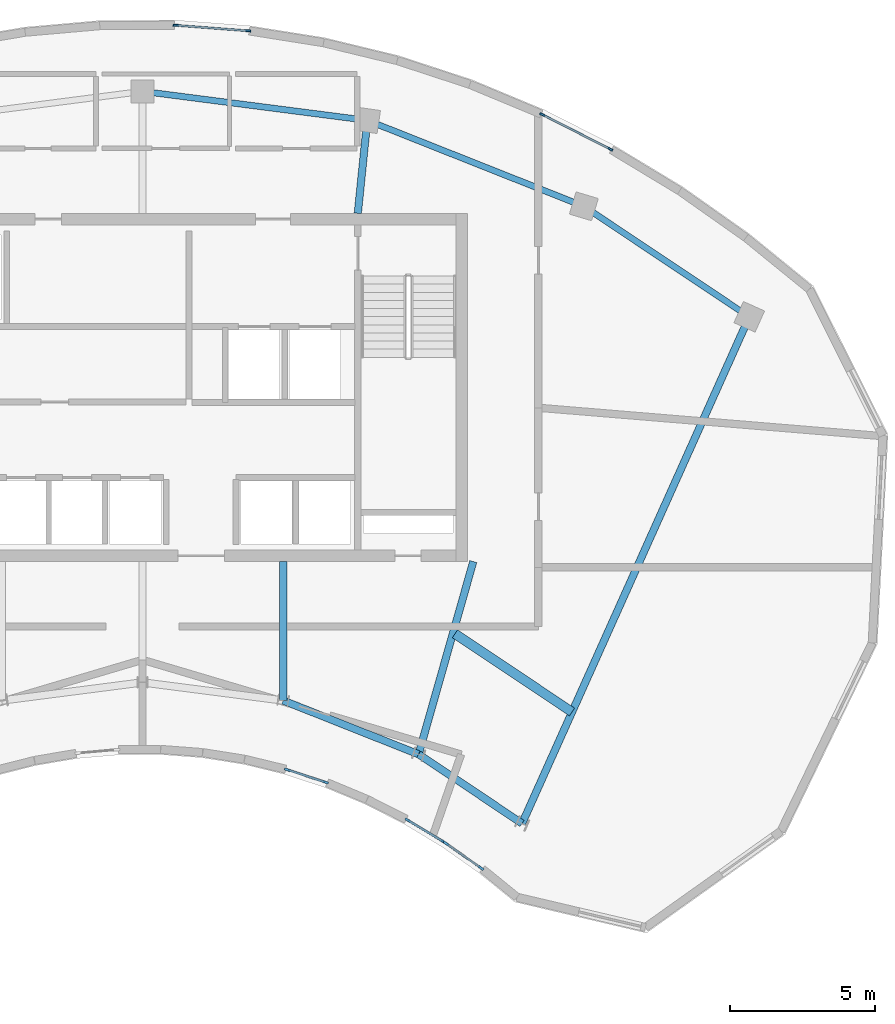
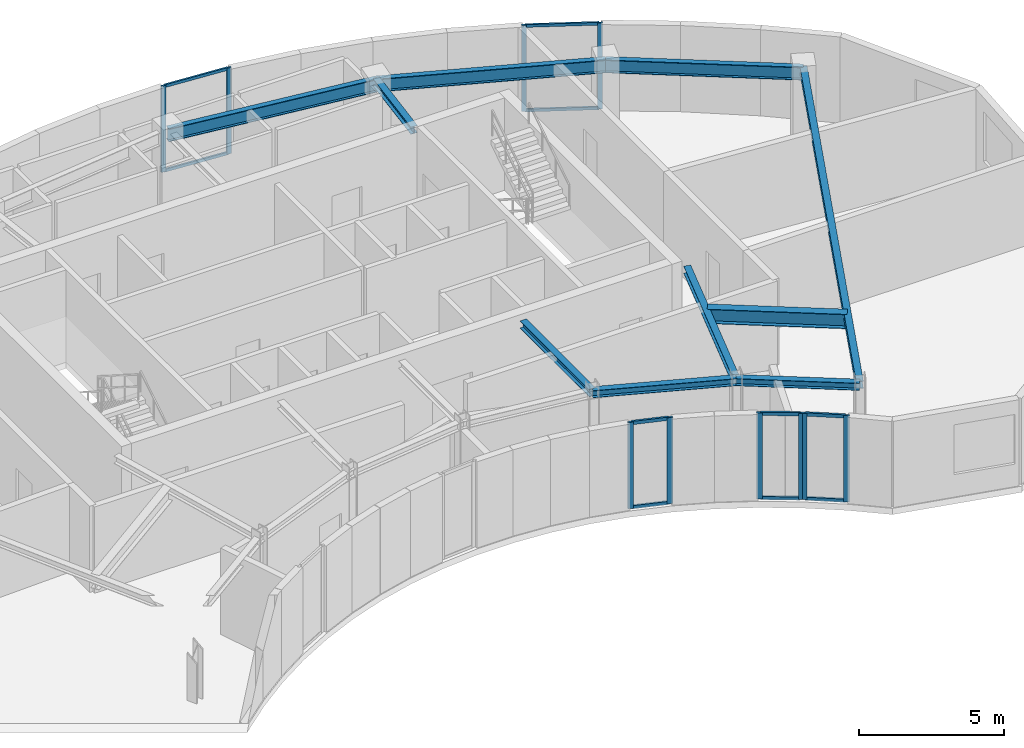
# One storey, part 3 of 9: 20 members, 10 beams, 5 elements without a shape of their own.
"""IFC4 building model written with IfcOpenShell, lengths in metres."""

from ifc_helpers import new_model, si_unit, direction, frame, origin, origin_2d, place, context, subcontext, project, spatial, rectangle, i_section, extrude, source, transform, mapped, material, layer, layer_set, material_profile, profile_set, type_object, element, aggregate, save


model = new_model("IFC4")

# Units and contexts
model_context = context("Model", 3, precision=1e-05, world=origin(), true_north=direction((0.0, 1.0)))
body_context = subcontext(model_context, "Body", "Model", "MODEL_VIEW")
ifc_project = project(units=[si_unit("LENGTHUNIT", "METRE"), si_unit("AREAUNIT", "SQUARE_METRE"), si_unit("VOLUMEUNIT", "CUBIC_METRE"), si_unit("PLANEANGLEUNIT", "RADIAN"), si_unit("MASSUNIT", "GRAM", prefix="KILO")], contexts=[model_context])

# Site, building, storey
site_placement = place(None, origin())
site = spatial("IfcSite", under=ifc_project, at=site_placement, CompositionType="ELEMENT")
building_placement = place(site_placement, origin())
building = spatial("IfcBuilding", under=site, at=building_placement, Name="Breltana Convention Tower", CompositionType="ELEMENT")
storey_placement = place(building_placement, frame((0.0, 0.0, 291.300048828125)))
storey = spatial("IfcBuildingStorey", under=building, at=storey_placement, Name="L71", CompositionType="ELEMENT", Elevation=291.300048828125)

# Beams
ifc_material_1 = material(Name="Steel ASTM A992 Grade 50", Category="steel")
ifc_material_profile_1 = material_profile(ifc_material_1, i_section(OverallWidth=0.323974609375, OverallDepth=0.611083984375, WebThickness=0.0126953125, FlangeThickness=0.01904296875, at=origin_2d()), Name="W24X104")
ifc_profile_set_1 = profile_set([ifc_material_profile_1], Name="Steel ASTM A992 Grade 50")
beam_type_1 = type_object("IfcBeamType", Name="BM-JSG-01", PredefinedType="JOIST", material=ifc_profile_set_1)
shared_shape_1 = source(origin(), body_context, "Body", "SweptSolid", [
    extrude(i_section(OverallWidth=0.323974609375, OverallDepth=0.611083984375, WebThickness=0.0126953125, FlangeThickness=0.01904296875, at=origin_2d()), origin(), (0.0, 0.0, 1.0), 4.854736328125),
])
beam_1_placement = place(storey_placement, frame((58.767578125, 57.71240234375, 3.33447265625), z_axis=(0.831485074305, -0.555547091801, 0.0), x_axis=(0.555547091801, 0.831485074305, 0.0)))
element("IfcBeam", 1, at=beam_1_placement, inside=storey, type_object=beam_type_1, Name="L71 Composite Floor Joist 08.1", PredefinedType="JOIST", context=body_context, shape_type="MappedRepresentation", body=[
    mapped(shared_shape_1, transform((0.0, 0.0, 0.0), scale=1.0)),
])
ifc_material_profile_2 = material_profile(ifc_material_1, i_section(OverallWidth=0.214111328125, OverallDepth=0.549072265625, WebThickness=0.0146484375, FlangeThickness=0.023681640625, at=origin_2d()), Name="W21X93")
ifc_profile_set_2 = profile_set([ifc_material_profile_2], Name="Steel ASTM A992 Grade 50")
beam_type_2 = type_object("IfcBeamType", Name="BM-SP-W21X93", PredefinedType="SPANDREL", material=ifc_profile_set_2)
shared_shape_2 = source(origin(), body_context, "Body", "SweptSolid", [
    extrude(i_section(OverallWidth=0.214111328125, OverallDepth=0.549072265625, WebThickness=0.0146484375, FlangeThickness=0.023681640625, at=origin_2d()), origin(), (0.0, 0.0, 1.0), 8.028564453125),
])
beam_2_placement = place(storey_placement, frame((55.746826171875, 75.404296875, 3.365478515625), z_axis=(0.929459100394, -0.368925169507, 0.0), x_axis=(0.368925169507, 0.929459100394, 0.0)))
element("IfcBeam", 2, at=beam_2_placement, inside=storey, type_object=beam_type_2, Name="L71 Outer Spandrel Beam 07", PredefinedType="SPANDREL", context=body_context, shape_type="MappedRepresentation", body=[
    mapped(shared_shape_2, transform((0.0, 0.0, 0.0), scale=1.0)),
])
shared_shape_3 = source(origin(), body_context, "Body", "SweptSolid", [
    extrude(i_section(OverallWidth=0.214111328125, OverallDepth=0.549072265625, WebThickness=0.0146484375, FlangeThickness=0.023681640625, at=origin_2d()), origin(), (0.0, 0.0, 1.0), 7.81103515625),
])
beam_3_placement = place(storey_placement, frame((48.0, 76.404052734375, 3.365478515625), z_axis=(0.991775179127, -0.127992164083, 0.0), x_axis=(0.127992164083, 0.991775179127, 0.0)))
element("IfcBeam", 3, at=beam_3_placement, inside=storey, type_object=beam_type_2, Name="L71 Outer Spandrel Beam 06", PredefinedType="SPANDREL", context=body_context, shape_type="MappedRepresentation", body=[
    mapped(shared_shape_3, transform((0.0, 0.0, 0.0), scale=1.0)),
])
shared_shape_4 = source(origin(), body_context, "Body", "SweptSolid", [
    extrude(i_section(OverallWidth=0.214111328125, OverallDepth=0.549072265625, WebThickness=0.0146484375, FlangeThickness=0.023681640625, at=origin_2d()), origin(), (0.0, 0.0, 1.0), 6.856689453125),
])
beam_4_placement = place(storey_placement, frame((63.208984375, 72.4423828125, 3.365478515625), z_axis=(0.83150210718, -0.55552159792, 0.0), x_axis=(0.55552159792, 0.83150210718, 0.0)))
element("IfcBeam", 4, at=beam_4_placement, inside=storey, type_object=beam_type_2, Name="L71 Outer Spandrel Beam 08", PredefinedType="SPANDREL", context=body_context, shape_type="MappedRepresentation", body=[
    mapped(shared_shape_4, transform((0.0, 0.0, 0.0), scale=1.0)),
])
ifc_material_profile_3 = material_profile(ifc_material_1, i_section(OverallWidth=0.25390625, OverallDepth=0.305908203125, WebThickness=0.0087890625, FlangeThickness=0.0146484375, at=origin_2d()), Name="W12X53")
ifc_profile_set_3 = profile_set([ifc_material_profile_3], Name="Steel ASTM A992 Grade 50")
beam_type_3 = type_object("IfcBeamType", Name="BM-CN-W12X53", PredefinedType="BEAM", material=ifc_profile_set_3)
shared_shape_5 = source(origin(), body_context, "Body", "SweptSolid", [
    extrude(i_section(OverallWidth=0.25390625, OverallDepth=0.305908203125, WebThickness=0.0087890625, FlangeThickness=0.0146484375, at=origin_2d()), origin(), (0.0, 0.0, 1.0), 6.904541015625),
])
beam_5_placement = place(storey_placement, frame((59.39990234375, 60.199951171875, 3.487060546875), z_axis=(-0.273006781054, -0.962012108811, 0.0), x_axis=(0.962012108811, -0.273006781054, 0.0)))
element("IfcBeam", 5, at=beam_5_placement, inside=storey, type_object=beam_type_3, Name="L71 South Core Tie Girder R08", PredefinedType="BEAM", context=body_context, shape_type="MappedRepresentation", body=[
    mapped(shared_shape_5, transform((0.0, 0.0, 0.0), scale=1.0)),
])
shared_shape_6 = source(origin(), body_context, "Body", "SweptSolid", [
    extrude(i_section(OverallWidth=0.25390625, OverallDepth=0.305908203125, WebThickness=0.0087890625, FlangeThickness=0.0146484375, at=origin_2d()), origin(), (0.0, 0.0, 1.0), 4.789306640625),
])
beam_6_placement = place(storey_placement, frame((52.846435546875, 60.199951171875, 3.487060546875), z_axis=(0.0, -1.0, 0.0), x_axis=(1.0, 0.0, 0.0)))
element("IfcBeam", 6, at=beam_6_placement, inside=storey, type_object=beam_type_3, Name="L71 South Core Tie Girder R07", PredefinedType="BEAM", context=body_context, shape_type="MappedRepresentation", body=[
    mapped(shared_shape_6, transform((0.0, 0.0, 0.0), scale=1.0)),
])
shared_shape_7 = source(origin(), body_context, "Body", "SweptSolid", [
    extrude(i_section(OverallWidth=0.25390625, OverallDepth=0.305908203125, WebThickness=0.0087890625, FlangeThickness=0.0146484375, at=origin_2d()), origin(), (0.0, 0.0, 1.0), 3.220947265625),
])
beam_7_placement = place(storey_placement, frame((55.419921875, 72.199951171875, 3.487060546875), z_axis=(0.101492254858, 0.994836329355, 0.0), x_axis=(-0.994836329355, 0.101492254858, 0.0)))
element("IfcBeam", 7, at=beam_7_placement, inside=storey, type_object=beam_type_3, Name="L71 North Core Radial Girder R07", PredefinedType="BEAM", context=body_context, shape_type="MappedRepresentation", body=[
    mapped(shared_shape_7, transform((0.0, 0.0, 0.0), scale=1.0)),
])
shared_shape_8 = source(origin(), body_context, "Body", "SweptSolid", [
    extrude(i_section(OverallWidth=0.25390625, OverallDepth=0.305908203125, WebThickness=0.0087890625, FlangeThickness=0.0146484375, at=origin_2d()), origin(), (0.0, 0.0, 1.0), 19.133544921875),
])
beam_8_placement = place(storey_placement, frame((61.08203125, 51.174560546875, 3.487060546875), z_axis=(0.409144564164, 0.912469575172, 0.0), x_axis=(-0.912469575172, 0.409144564164, 0.0)))
element("IfcBeam", 8, at=beam_8_placement, inside=storey, type_object=beam_type_3, Name="L71 Radial Floor Girder R09", PredefinedType="BEAM", context=body_context, shape_type="MappedRepresentation", body=[
    mapped(shared_shape_8, transform((0.0, 0.0, 0.0), scale=1.0)),
])
shared_shape_9 = source(origin(), body_context, "Body", "SweptSolid", [
    extrude(i_section(OverallWidth=0.25390625, OverallDepth=0.305908203125, WebThickness=0.0087890625, FlangeThickness=0.0146484375, at=origin_2d()), origin(), (0.0, 0.0, 1.0), 5.022705078125),
])
beam_9_placement = place(storey_placement, frame((52.846435546875, 55.41064453125, 3.487060546875), z_axis=(0.929458966248, -0.368925507469, 0.0), x_axis=(0.368925507469, 0.929458966248, 0.0)))
element("IfcBeam", 9, at=beam_9_placement, inside=storey, type_object=beam_type_3, Name="L71 Inner Ring Beam 07", PredefinedType="BEAM", context=body_context, shape_type="MappedRepresentation", body=[
    mapped(shared_shape_9, transform((0.0, 0.0, 0.0), scale=1.0)),
])
shared_shape_10 = source(origin(), body_context, "Body", "SweptSolid", [
    extrude(i_section(OverallWidth=0.25390625, OverallDepth=0.305908203125, WebThickness=0.0087890625, FlangeThickness=0.0146484375, at=origin_2d()), origin(), (0.0, 0.0, 1.0), 4.2900390625),
])
beam_10_placement = place(storey_placement, frame((57.514892578125, 53.5576171875, 3.487060546875), z_axis=(0.831515827753, -0.555501060482, 0.0), x_axis=(0.555501060482, 0.831515827753, 0.0)))
element("IfcBeam", 10, at=beam_10_placement, inside=storey, type_object=beam_type_3, Name="L71 Inner Ring Beam 08", PredefinedType="BEAM", context=body_context, shape_type="MappedRepresentation", body=[
    mapped(shared_shape_10, transform((0.0, 0.0, 0.0), scale=1.0)),
])

# Curtain wall, members
ifc_material_2 = material(Name="Aluminium Anodised Bronze Frame", Category="aluminium")
ifc_layer_1 = layer(ifc_material_2, 0.18994140625, Name="Aluminium Anodised Bronze Frame")
ifc_layer_set_1 = layer_set([ifc_layer_1], Name="Aluminium Anodised Bronze Frame")
curtain_wall_type_1 = type_object("IfcCurtainWallType", Name="CW-SYS-1", PredefinedType="NOTDEFINED", material=ifc_layer_set_1)
curtain_wall_1_placement = place(storey_placement, origin())
curtain_wall_1 = element("IfcCurtainWall", 11, at=curtain_wall_1_placement, inside=storey, type_object=curtain_wall_type_1, Name="L71 inner south-court glazing 1", PredefinedType="NOTDEFINED")
ifc_material_3 = material(Name="Aluminium Anodised Bronze", Category="aluminium")
ifc_material_profile_4 = material_profile(ifc_material_3, rectangle(XDim=0.080078125, YDim=0.199951171875, at=origin_2d()), Name="CWM-80X200")
ifc_profile_set_4 = profile_set([ifc_material_profile_4], Name="Aluminium Anodised Bronze")
member_type_1 = type_object("IfcMemberType", Name="CWM-200", PredefinedType="MULLION", material=ifc_profile_set_4)
shared_shape_11 = source(origin(), body_context, "Body", "SweptSolid", [
    extrude(rectangle(XDim=0.080078125, YDim=0.199951171875, at=origin_2d()), origin(), (0.0, 0.0, 1.0), 3.639892578125),
])
member_1_placement = place(storey_placement, frame((59.667724609375, 49.635986328125, 0.0), z_axis=(0.0, 0.0, 1.0), x_axis=(-0.576173895534, -0.817327132857, 0.0)))
member_1 = element("IfcMember", 12, at=member_1_placement, type_object=member_type_1, Name="CW-01 mullion 1", PredefinedType="MULLION", context=body_context, shape_type="MappedRepresentation", body=[
    mapped(shared_shape_11, transform((0.0, 0.0, 0.0), scale=1.0)),
])
member_2_placement = place(storey_placement, frame((58.4599609375, 50.4873046875, 0.0), z_axis=(0.0, 0.0, 1.0), x_axis=(-0.576173895534, -0.817327132857, 0.0)))
member_2 = element("IfcMember", 13, at=member_2_placement, type_object=member_type_1, Name="CW-01 mullion 2", PredefinedType="MULLION", context=body_context, shape_type="MappedRepresentation", body=[
    mapped(shared_shape_11, transform((0.0, 0.0, 0.0), scale=1.0)),
])

curtain_wall_2_placement = place(storey_placement, origin())
curtain_wall_2 = element("IfcCurtainWall", 14, at=curtain_wall_2_placement, inside=storey, type_object=curtain_wall_type_1, Name="L71 inner south-court glazing 2", PredefinedType="NOTDEFINED")
member_3_placement = place(storey_placement, frame((58.38232421875, 50.5380859375, 0.0), z_axis=(0.0, 0.0, 1.0), x_axis=(-0.516826673654, -0.856090059164, 0.0)))
member_3 = element("IfcMember", 15, at=member_3_placement, type_object=member_type_1, Name="CW-01 mullion 1", PredefinedType="MULLION", context=body_context, shape_type="MappedRepresentation", body=[
    mapped(shared_shape_11, transform((0.0, 0.0, 0.0), scale=1.0)),
])
member_4_placement = place(storey_placement, frame((57.139404296875, 51.288330078125, 0.0), z_axis=(0.0, 0.0, 1.0), x_axis=(-0.516826673654, -0.856090059164, 0.0)))
member_4 = element("IfcMember", 16, at=member_4_placement, type_object=member_type_1, Name="CW-01 mullion 2", PredefinedType="MULLION", context=body_context, shape_type="MappedRepresentation", body=[
    mapped(shared_shape_11, transform((0.0, 0.0, 0.0), scale=1.0)),
])

curtain_wall_3_placement = place(storey_placement, origin())
curtain_wall_3 = element("IfcCurtainWall", 17, at=curtain_wall_3_placement, inside=storey, type_object=curtain_wall_type_1, Name="L71 inner south-court glazing 3", PredefinedType="NOTDEFINED")
member_5_placement = place(storey_placement, frame((54.3115234375, 52.5927734375, 0.0), z_axis=(0.0, 0.0, 1.0), x_axis=(-0.311551675865, -0.95022921091, 0.0)))
member_5 = element("IfcMember", 18, at=member_5_placement, type_object=member_type_1, Name="CW-01 mullion 1", PredefinedType="MULLION", context=body_context, shape_type="MappedRepresentation", body=[
    mapped(shared_shape_11, transform((0.0, 0.0, 0.0), scale=1.0)),
])
member_6_placement = place(storey_placement, frame((52.990478515625, 53.02587890625, 0.0), z_axis=(0.0, 0.0, 1.0), x_axis=(-0.311551675865, -0.95022921091, 0.0)))
member_6 = element("IfcMember", 19, at=member_6_placement, type_object=member_type_1, Name="CW-01 mullion 2", PredefinedType="MULLION", context=body_context, shape_type="MappedRepresentation", body=[
    mapped(shared_shape_11, transform((0.0, 0.0, 0.0), scale=1.0)),
])

ifc_layer_2 = layer(ifc_material_2, 0.22998046875, Name="Aluminium Anodised Bronze Frame")
ifc_layer_set_2 = layer_set([ifc_layer_2], Name="Aluminium Anodised Bronze Frame")
curtain_wall_type_2 = type_object("IfcCurtainWallType", Name="CW-SYS-5", PredefinedType="NOTDEFINED", material=ifc_layer_set_2)
curtain_wall_4_placement = place(storey_placement, origin())
curtain_wall_4 = element("IfcCurtainWall", 20, at=curtain_wall_4_placement, inside=storey, type_object=curtain_wall_type_2, Name="L71 outer double-skin inner glazing 3", PredefinedType="NOTDEFINED")
ifc_material_profile_5 = material_profile(ifc_material_3, rectangle(XDim=0.070068359375, YDim=0.175048828125, at=origin_2d()), Name="CWM-70X175")
ifc_profile_set_5 = profile_set([ifc_material_profile_5], Name="Aluminium Anodised Bronze")
member_type_2 = type_object("IfcMemberType", Name="CWM-175", PredefinedType="MULLION", material=ifc_profile_set_5)
shared_shape_12 = source(origin(), body_context, "Body", "SweptSolid", [
    extrude(rectangle(XDim=0.070068359375, YDim=0.175048828125, at=origin_2d()), origin(), (0.0, 0.0, 1.0), 3.639892578125),
])
member_7_placement = place(storey_placement, frame((49.139892578125, 78.680908203125, 0.0), z_axis=(0.0, 0.0, 1.0), x_axis=(0.075890692114, 0.99711614311, 0.0)))
member_7 = element("IfcMember", 21, at=member_7_placement, type_object=member_type_2, Name="CW-05 mullion 1", PredefinedType="MULLION", context=body_context, shape_type="MappedRepresentation", body=[
    mapped(shared_shape_12, transform((0.0, 0.0, 0.0), scale=1.0)),
])
member_8_placement = place(storey_placement, frame((51.643798828125, 78.490234375, 0.0), z_axis=(0.0, 0.0, 1.0), x_axis=(0.075890692114, 0.99711614311, 0.0)))
member_8 = element("IfcMember", 22, at=member_8_placement, type_object=member_type_2, Name="CW-05 mullion 2", PredefinedType="MULLION", context=body_context, shape_type="MappedRepresentation", body=[
    mapped(shared_shape_12, transform((0.0, 0.0, 0.0), scale=1.0)),
])

curtain_wall_5_placement = place(storey_placement, origin())
curtain_wall_5 = element("IfcCurtainWall", 23, at=curtain_wall_5_placement, inside=storey, type_object=curtain_wall_type_2, Name="L71 outer double-skin inner glazing 4", PredefinedType="NOTDEFINED")
member_9_placement = place(storey_placement, frame((61.776123046875, 75.6044921875, 0.0), z_axis=(0.0, 0.0, 1.0), x_axis=(0.452690099305, 0.891667916879, 0.0)))
member_9 = element("IfcMember", 24, at=member_9_placement, type_object=member_type_2, Name="CW-05 mullion 1", PredefinedType="MULLION", context=body_context, shape_type="MappedRepresentation", body=[
    mapped(shared_shape_12, transform((0.0, 0.0, 0.0), scale=1.0)),
])
member_10_placement = place(storey_placement, frame((64.126220703125, 74.411376953125, 0.0), z_axis=(0.0, 0.0, 1.0), x_axis=(0.452690099305, 0.891667916879, 0.0)))
member_10 = element("IfcMember", 25, at=member_10_placement, type_object=member_type_2, Name="CW-05 mullion 2", PredefinedType="MULLION", context=body_context, shape_type="MappedRepresentation", body=[
    mapped(shared_shape_12, transform((0.0, 0.0, 0.0), scale=1.0)),
])

# Member
ifc_material_profile_6 = material_profile(ifc_material_3, rectangle(XDim=0.080078125, YDim=0.139892578125, at=origin_2d()), Name="CWT-80X140")
ifc_profile_set_6 = profile_set([ifc_material_profile_6], Name="Aluminium Anodised Bronze")
member_type_3 = type_object("IfcMemberType", Name="CWT-140", PredefinedType="USERDEFINED", material=ifc_profile_set_6)
shared_shape_13 = source(origin(), body_context, "Body", "SweptSolid", [
    extrude(rectangle(XDim=0.080078125, YDim=0.139892578125, at=origin_2d()), origin(), (0.0, 0.0, 1.0), 1.3974609375),
])
member_11_placement = place(storey_placement, frame((59.635009765625, 49.658935546875, 0.0400390625), z_axis=(-0.817364650956, 0.576120670838, 0.0), x_axis=(-0.576120670838, -0.817364650956, 0.0)))
member_11 = element("IfcMember", 26, at=member_11_placement, type_object=member_type_3, Name="CW-01 transom 1.1", ObjectType="TRANSOM", PredefinedType="USERDEFINED", context=body_context, shape_type="MappedRepresentation", body=[
    mapped(shared_shape_13, transform((0.0, 0.0, 0.0), scale=1.0)),
])

member_12_placement = place(storey_placement, frame((59.635009765625, 49.658935546875, 3.599853515625), z_axis=(-0.817364650956, 0.576120670838, 0.0), x_axis=(-0.576120670838, -0.817364650956, 0.0)))
member_12 = element("IfcMember", 27, at=member_12_placement, type_object=member_type_3, Name="CW-01 transom 1.2", ObjectType="TRANSOM", PredefinedType="USERDEFINED", context=body_context, shape_type="MappedRepresentation", body=[
    mapped(shared_shape_13, transform((0.0, 0.0, 0.0), scale=1.0)),
])

aggregate(curtain_wall_1, [member_1, member_2, member_11, member_12])

shared_shape_14 = source(origin(), body_context, "Body", "SweptSolid", [
    extrude(rectangle(XDim=0.080078125, YDim=0.139892578125, at=origin_2d()), origin(), (0.0, 0.0, 1.0), 1.3720703125),
])
member_13_placement = place(storey_placement, frame((58.34814453125, 50.55859375, 0.0400390625), z_axis=(-0.856123865056, 0.516770672235, 0.0), x_axis=(-0.516770672235, -0.856123865056, 0.0)))
member_13 = element("IfcMember", 28, at=member_13_placement, type_object=member_type_3, Name="CW-01 transom 1.1", ObjectType="TRANSOM", PredefinedType="USERDEFINED", context=body_context, shape_type="MappedRepresentation", body=[
    mapped(shared_shape_14, transform((0.0, 0.0, 0.0), scale=1.0)),
])

member_14_placement = place(storey_placement, frame((58.34814453125, 50.55859375, 3.599853515625), z_axis=(-0.856123865056, 0.516770672235, 0.0), x_axis=(-0.516770672235, -0.856123865056, 0.0)))
member_14 = element("IfcMember", 29, at=member_14_placement, type_object=member_type_3, Name="CW-01 transom 1.2", ObjectType="TRANSOM", PredefinedType="USERDEFINED", context=body_context, shape_type="MappedRepresentation", body=[
    mapped(shared_shape_14, transform((0.0, 0.0, 0.0), scale=1.0)),
])

aggregate(curtain_wall_2, [member_3, member_4, member_13, member_14])

shared_shape_15 = source(origin(), body_context, "Body", "SweptSolid", [
    extrude(rectangle(XDim=0.080078125, YDim=0.139892578125, at=origin_2d()), origin(), (0.0, 0.0, 1.0), 1.310546875),
])
member_15_placement = place(storey_placement, frame((54.273681640625, 52.605224609375, 0.0400390625), z_axis=(-0.950254852385, 0.31147345877, 0.0), x_axis=(-0.31147345877, -0.950254852385, 0.0)))
member_15 = element("IfcMember", 30, at=member_15_placement, type_object=member_type_3, Name="CW-01 transom 1.1", ObjectType="TRANSOM", PredefinedType="USERDEFINED", context=body_context, shape_type="MappedRepresentation", body=[
    mapped(shared_shape_15, transform((0.0, 0.0, 0.0), scale=1.0)),
])

member_16_placement = place(storey_placement, frame((54.273681640625, 52.605224609375, 3.599853515625), z_axis=(-0.950254852385, 0.31147345877, 0.0), x_axis=(-0.31147345877, -0.950254852385, 0.0)))
member_16 = element("IfcMember", 31, at=member_16_placement, type_object=member_type_3, Name="CW-01 transom 1.2", ObjectType="TRANSOM", PredefinedType="USERDEFINED", context=body_context, shape_type="MappedRepresentation", body=[
    mapped(shared_shape_15, transform((0.0, 0.0, 0.0), scale=1.0)),
])

aggregate(curtain_wall_3, [member_5, member_6, member_15, member_16])

ifc_material_profile_7 = material_profile(ifc_material_3, rectangle(XDim=0.070068359375, YDim=0.1201171875, at=origin_2d()), Name="CWT-70X120")
ifc_profile_set_7 = profile_set([ifc_material_profile_7], Name="Aluminium Anodised Bronze")
member_type_4 = type_object("IfcMemberType", Name="CWT-120", PredefinedType="USERDEFINED", material=ifc_profile_set_7)
shared_shape_16 = source(origin(), body_context, "Body", "SweptSolid", [
    extrude(rectangle(XDim=0.070068359375, YDim=0.1201171875, at=origin_2d()), origin(), (0.0, 0.0, 1.0), 2.441162109375),
])
member_17_placement = place(storey_placement, frame((49.1748046875, 78.67822265625, 0.034912109375), z_axis=(0.997114769529, -0.075908737219, 0.0), x_axis=(0.075908737219, 0.997114769529, 0.0)))
member_17 = element("IfcMember", 32, at=member_17_placement, type_object=member_type_4, Name="CW-05 transom 1.1", ObjectType="TRANSOM", PredefinedType="USERDEFINED", context=body_context, shape_type="MappedRepresentation", body=[
    mapped(shared_shape_16, transform((0.0, 0.0, 0.0), scale=1.0)),
])

member_18_placement = place(storey_placement, frame((49.1748046875, 78.67822265625, 3.60498046875), z_axis=(0.997114769529, -0.075908737219, 0.0), x_axis=(0.075908737219, 0.997114769529, 0.0)))
member_18 = element("IfcMember", 33, at=member_18_placement, type_object=member_type_4, Name="CW-05 transom 1.2", ObjectType="TRANSOM", PredefinedType="USERDEFINED", context=body_context, shape_type="MappedRepresentation", body=[
    mapped(shared_shape_16, transform((0.0, 0.0, 0.0), scale=1.0)),
])

aggregate(curtain_wall_4, [member_7, member_8, member_17, member_18])

shared_shape_17 = source(origin(), body_context, "Body", "SweptSolid", [
    extrude(rectangle(XDim=0.070068359375, YDim=0.1201171875, at=origin_2d()), origin(), (0.0, 0.0, 1.0), 2.5654296875),
])
member_19_placement = place(storey_placement, frame((61.807373046875, 75.588623046875, 0.034912109375), z_axis=(0.891669724031, -0.452686539724, 0.0), x_axis=(0.452686539724, 0.891669724031, 0.0)))
member_19 = element("IfcMember", 34, at=member_19_placement, type_object=member_type_4, Name="CW-05 transom 1.1", ObjectType="TRANSOM", PredefinedType="USERDEFINED", context=body_context, shape_type="MappedRepresentation", body=[
    mapped(shared_shape_17, transform((0.0, 0.0, 0.0), scale=1.0)),
])

member_20_placement = place(storey_placement, frame((61.807373046875, 75.588623046875, 3.60498046875), z_axis=(0.891669724031, -0.452686539724, 0.0), x_axis=(0.452686539724, 0.891669724031, 0.0)))
member_20 = element("IfcMember", 35, at=member_20_placement, type_object=member_type_4, Name="CW-05 transom 1.2", ObjectType="TRANSOM", PredefinedType="USERDEFINED", context=body_context, shape_type="MappedRepresentation", body=[
    mapped(shared_shape_17, transform((0.0, 0.0, 0.0), scale=1.0)),
])

aggregate(curtain_wall_5, [member_9, member_10, member_19, member_20])

save(model, "model.ifc")
